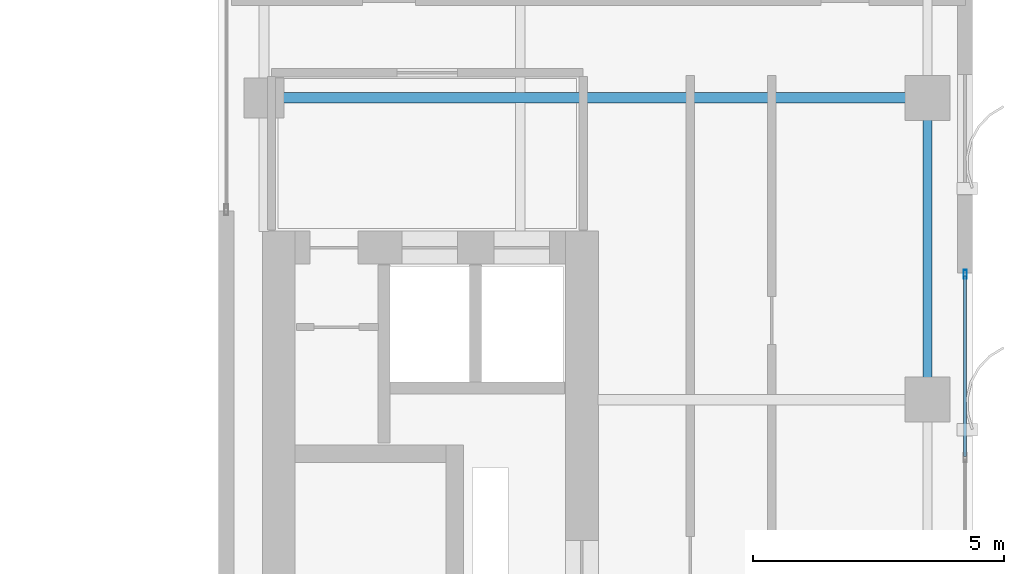
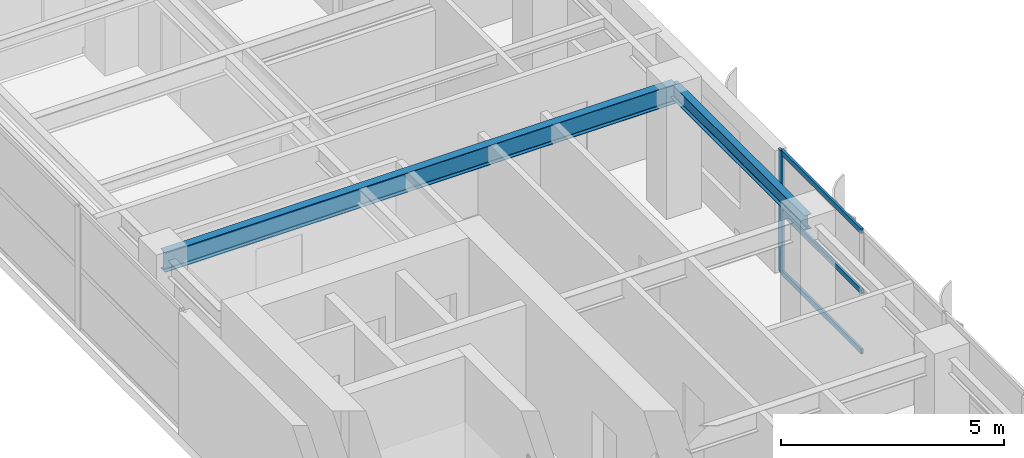
# One storey, part 12 of 22: 4 members, 2 beams, 1 element without a shape of its own.
"""IFC4 building model written with IfcOpenShell, lengths in metres."""

from ifc_helpers import new_model, si_unit, direction, frame, origin, origin_2d, place, context, subcontext, project, spatial, hollow_rectangle, i_section, extrude, source, transform, mapped, material, layer, layer_set, material_profile, profile_set, type_object, element, aggregate, save


model = new_model("IFC4")

# Units and contexts
model_context = context("Model", 3, precision=1e-05, world=origin(), true_north=direction((0.0, 1.0)))
body_context = subcontext(model_context, "Body", "Model", "MODEL_VIEW")
ifc_project = project(units=[si_unit("LENGTHUNIT", "METRE"), si_unit("AREAUNIT", "SQUARE_METRE"), si_unit("VOLUMEUNIT", "CUBIC_METRE"), si_unit("PLANEANGLEUNIT", "RADIAN"), si_unit("MASSUNIT", "GRAM", prefix="KILO")], contexts=[model_context])

# Site, building, storey
site_placement = place(None, origin())
site = spatial("IfcSite", under=ifc_project, at=site_placement, CompositionType="ELEMENT")
building_placement = place(site_placement, origin())
building = spatial("IfcBuilding", under=site, at=building_placement, Name="Khoralis Quay Care Tower", CompositionType="ELEMENT")
storey_placement = place(building_placement, frame((0.0, 0.0, 188.10009765625)))
storey = spatial("IfcBuildingStorey", under=building, at=storey_placement, Name="L49", CompositionType="ELEMENT", Elevation=188.10009765625)

# Beams
ifc_material_1 = material(Name="Steel S355", Category="steel")
ifc_material_profile_1 = material_profile(ifc_material_1, i_section(OverallWidth=0.179931640625, OverallDepth=0.39990234375, WebThickness=0.008544921875, FlangeThickness=0.013427734375, FilletRadius=0.02099609375, at=origin_2d()), Name="Steel S355")
ifc_profile_set_1 = profile_set([ifc_material_profile_1], Name="Steel S355")
beam_type_1 = type_object("IfcBeamType", Name="BM-IPE400", PredefinedType="SPANDREL", material=ifc_profile_set_1)
shared_shape_1 = source(origin(), body_context, "Body", "SweptSolid", [
    extrude(i_section(OverallWidth=0.179931640625, OverallDepth=0.39990234375, WebThickness=0.008544921875, FlangeThickness=0.013427734375, FilletRadius=0.02099609375, at=origin_2d()), origin(), (0.0, 0.0, 1.0), 6.0),
])
beam_1_placement = place(storey_placement, frame((44.10009765625, 24.0, 3.139892578125), z_axis=(0.0, 1.0, 0.0), x_axis=(-1.0, 0.0, 0.0)))
element("IfcBeam", 1, at=beam_1_placement, inside=storey, type_object=beam_type_1, Name="BM-TSP-L49-13", PredefinedType="SPANDREL", context=body_context, shape_type="MappedRepresentation", body=[
    mapped(shared_shape_1, transform((0.0, 0.0, 0.0), scale=1.0)),
])
ifc_material_profile_2 = material_profile(ifc_material_1, i_section(OverallWidth=0.208984375, OverallDepth=0.532958984375, WebThickness=0.01025390625, FlangeThickness=0.015625, FilletRadius=0.01611328125, at=origin_2d()), Name="Steel S355")
ifc_profile_set_2 = profile_set([ifc_material_profile_2], Name="Steel S355")
beam_type_2 = type_object("IfcBeamType", Name="BM-W530X92", PredefinedType="BEAM", material=ifc_profile_set_2)
shared_shape_2 = source(origin(), body_context, "Body", "SweptSolid", [
    extrude(i_section(OverallWidth=0.208984375, OverallDepth=0.532958984375, WebThickness=0.01025390625, FlangeThickness=0.015625, FilletRadius=0.01611328125, at=origin_2d()), origin(), (0.0, 0.0, 1.0), 13.2001953125),
])
beam_2_placement = place(storey_placement, frame((30.89990234375, 30.0, 3.073486328125), z_axis=(1.0, 0.0, 0.0), x_axis=(0.0, 1.0, 0.0)))
element("IfcBeam", 2, at=beam_2_placement, inside=storey, type_object=beam_type_2, Name="BM-TGXE-L49-300", PredefinedType="BEAM", context=body_context, shape_type="MappedRepresentation", body=[
    mapped(shared_shape_2, transform((0.0, 0.0, 0.0), scale=1.0)),
])

# Curtain wall, members
ifc_material_2 = material(Name="Pale anodised aluminium", Category="aluminium")
ifc_layer = layer(ifc_material_2, 0.159912109375)
ifc_layer_set = layer_set([ifc_layer], Name="Pale anodised aluminium")
curtain_wall_type = type_object("IfcCurtainWallType", Name="CW-SYS-Z3", PredefinedType="NOTDEFINED", material=ifc_layer_set)
curtain_wall_placement = place(storey_placement, origin())
curtain_wall = element("IfcCurtainWall", 3, at=curtain_wall_placement, inside=storey, type_object=curtain_wall_type, Name="L49 Unitised Curtain Wall CW-L49-P2-E5", PredefinedType="NOTDEFINED")
ifc_material_profile_3 = material_profile(ifc_material_2, hollow_rectangle(XDim=0.06494140625, YDim=0.179931640625, WallThickness=0.00390625, at=origin_2d()), Name="Pale anodised aluminium")
ifc_profile_set_3 = profile_set([ifc_material_profile_3], Name="Pale anodised aluminium")
member_type_1 = type_object("IfcMemberType", Name="CW-MUL-180", PredefinedType="MULLION", material=ifc_profile_set_3)
shared_shape_3 = source(origin(), body_context, "Body", "SweptSolid", [
    extrude(hollow_rectangle(XDim=0.06494140625, YDim=0.179931640625, WallThickness=0.00390625, at=origin_2d()), origin(), (0.0, 0.0, 1.0), 3.33984375),
])
member_1_placement = place(storey_placement, frame((44.85009765625, 26.489990234375, 0.0), z_axis=(0.0, 0.0, 1.0), x_axis=(-1.0, 0.0, 0.0)))
member_1 = element("IfcMember", 4, at=member_1_placement, type_object=member_type_1, Name="CW3 mullion 4", PredefinedType="MULLION", context=body_context, shape_type="MappedRepresentation", body=[
    mapped(shared_shape_3, transform((0.0, 0.0, 0.0), scale=1.0)),
])
ifc_material_profile_4 = material_profile(ifc_material_2, hollow_rectangle(XDim=0.06005859375, YDim=0.139892578125, WallThickness=0.00390625, at=origin_2d()), Name="Pale anodised aluminium")
ifc_profile_set_4 = profile_set([ifc_material_profile_4], Name="Pale anodised aluminium")
member_type_2 = type_object("IfcMemberType", Name="CW-TRN-140", PredefinedType="USERDEFINED", material=ifc_profile_set_4)
shared_shape_4 = source(origin(), body_context, "Body", "SweptSolid", [
    extrude(hollow_rectangle(XDim=0.06005859375, YDim=0.139892578125, WallThickness=0.00390625, at=origin_2d()), origin(), (0.0, 0.0, 1.0), 3.58984375),
])
member_2_placement = place(storey_placement, frame((44.85009765625, 22.8701171875, 0.02978515625), z_axis=(0.0, 1.0, 0.0), x_axis=(-1.0, 0.0, 0.0)))
member_2 = element("IfcMember", 5, at=member_2_placement, type_object=member_type_2, Name="CW3 transom 3.1", ObjectType="TRANSOM", PredefinedType="USERDEFINED", context=body_context, shape_type="MappedRepresentation", body=[
    mapped(shared_shape_4, transform((0.0, 0.0, 0.0), scale=1.0)),
])
member_3_placement = place(storey_placement, frame((44.85009765625, 22.8701171875, 1.669921875), z_axis=(0.0, 1.0, 0.0), x_axis=(-1.0, 0.0, 0.0)))
member_3 = element("IfcMember", 6, at=member_3_placement, type_object=member_type_2, Name="CW3 transom 3.2", ObjectType="TRANSOM", PredefinedType="USERDEFINED", context=body_context, shape_type="MappedRepresentation", body=[
    mapped(shared_shape_4, transform((0.0, 0.0, 0.0), scale=1.0)),
])
member_4_placement = place(storey_placement, frame((44.85009765625, 22.8701171875, 3.309814453125), z_axis=(0.0, 1.0, 0.0), x_axis=(-1.0, 0.0, 0.0)))
member_4 = element("IfcMember", 7, at=member_4_placement, type_object=member_type_2, Name="CW3 transom 3.3", ObjectType="TRANSOM", PredefinedType="USERDEFINED", context=body_context, shape_type="MappedRepresentation", body=[
    mapped(shared_shape_4, transform((0.0, 0.0, 0.0), scale=1.0)),
])
aggregate(curtain_wall, [member_1, member_2, member_3, member_4])

save(model, "model.ifc")
